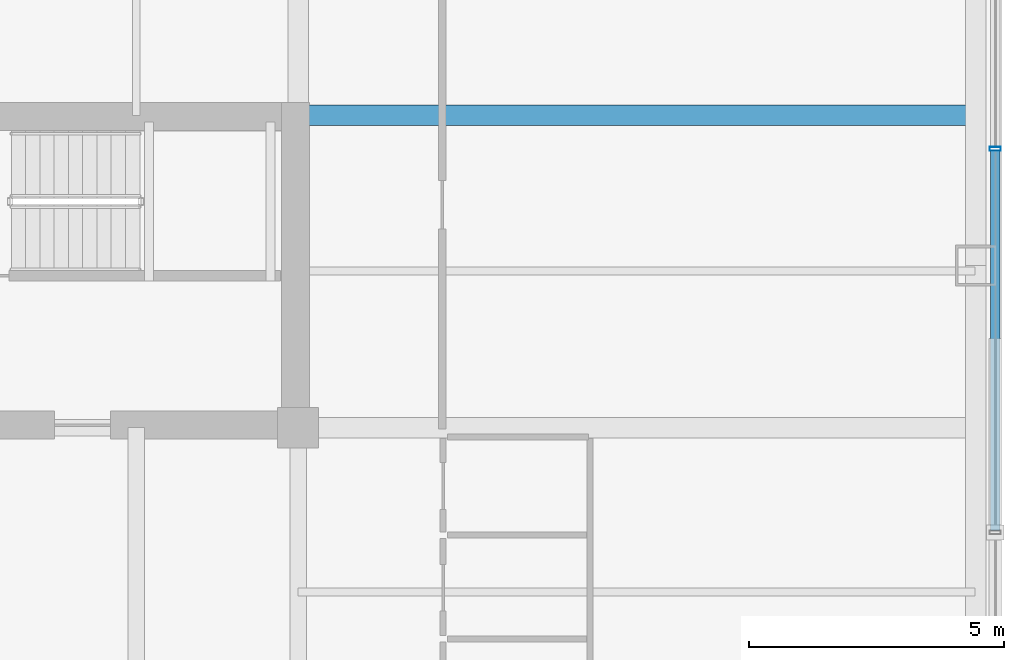
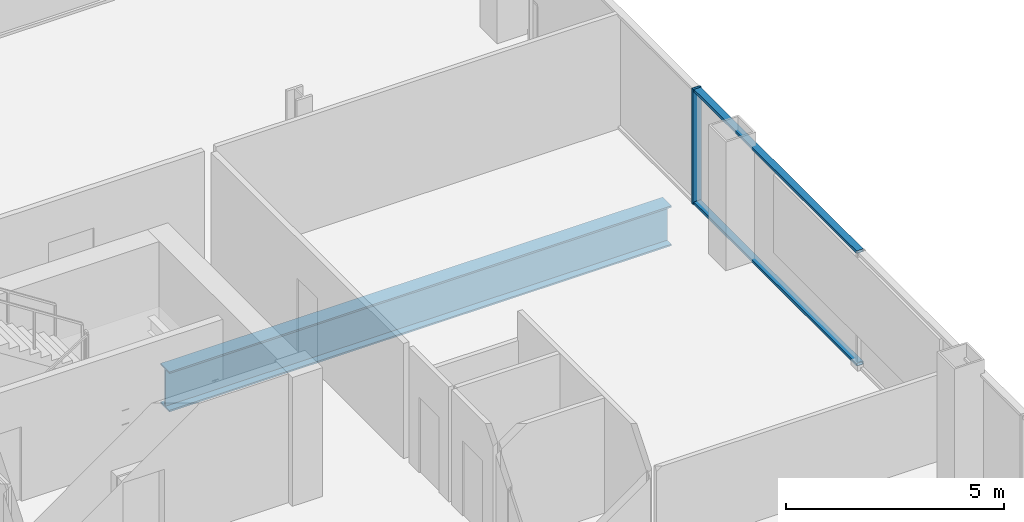
# One storey, part 12 of 24: 3 members, 1 beam, 1 element without a shape of its own.
"""IFC4 building model written with IfcOpenShell, lengths in metres."""

from ifc_helpers import new_model, si_unit, direction, frame, origin, origin_2d, place, context, subcontext, project, spatial, hollow_rectangle, i_section, extrude, material, layer, layer_set, material_profile, profile_set, type_object, element, aggregate, save


model = new_model("IFC4")

# Units and contexts
model_context = context("Model", 3, precision=1e-05, world=origin(), true_north=direction((0.0, 1.0)))
body_context = subcontext(model_context, "Body", "Model", "MODEL_VIEW")
ifc_project = project(units=[si_unit("LENGTHUNIT", "METRE"), si_unit("AREAUNIT", "SQUARE_METRE"), si_unit("VOLUMEUNIT", "CUBIC_METRE"), si_unit("PLANEANGLEUNIT", "RADIAN"), si_unit("MASSUNIT", "GRAM", prefix="KILO")], contexts=[model_context])

# Site, building, storey
site_placement = place(None, origin())
site = spatial("IfcSite", under=ifc_project, at=site_placement, CompositionType="ELEMENT")
building_placement = place(site_placement, origin())
building = spatial("IfcBuilding", under=site, at=building_placement, Name="Qhalaya Broadcast Tower", CompositionType="ELEMENT")
storey_placement = place(building_placement, frame((0.0, 0.0, 61.5)))
storey = spatial("IfcBuildingStorey", under=building, at=storey_placement, Name="L17", CompositionType="ELEMENT", Elevation=61.5)

# Beam
ifc_material_1 = material(Name="Structural Steel ASTM A992 Grade 50", Category="steel")
ifc_material_profile_1 = material_profile(ifc_material_1, i_section(OverallWidth=0.404052734375, OverallDepth=1.117919921875, WebThickness=0.026123046875, FlangeThickness=0.044921875, at=origin_2d()), Name="W44X335")
ifc_profile_set_1 = profile_set([ifc_material_profile_1], Name="Structural Steel ASTM A992 Grade 50")
beam_type = type_object("IfcBeamType", Name="Podium Long-Span Primary Girder PG1", PredefinedType="USERDEFINED", material=ifc_profile_set_1)
beam_placement = place(storey_placement, frame((9.375, 9.949951171875, -0.779052734375), z_axis=(1.0, 0.0, 0.0), x_axis=(0.0, 1.0, 0.0)))
element("IfcBeam", 1, at=beam_placement, inside=storey, type_object=beam_type, Name="L17 PG1 L17-PGYE4-1", ObjectType="GIRDER", PredefinedType="USERDEFINED", context=body_context, shape_type="SweptSolid", body=[
    extrude(i_section(OverallWidth=0.404052734375, OverallDepth=1.117919921875, WebThickness=0.026123046875, FlangeThickness=0.044921875, at=origin_2d()), origin(), (0.0, 0.0, 1.0), 13.27490234375),
])

# Curtain wall, members
ifc_material_2 = material(Name="Solar-Control Low-E Triple Glazing", Category="glass")
ifc_layer = layer(ifc_material_2, 0.219970703125, Name="Solar-Control Low-E Triple Glazing")
ifc_layer_set = layer_set([ifc_layer], Name="Solar-Control Low-E Triple Glazing")
curtain_wall_type = type_object("IfcCurtainWallType", Name="Recessed Sky-Garden Neck Ribbon Curtain Wall CW-05", PredefinedType="NOTDEFINED", material=ifc_layer_set)
curtain_wall_placement = place(storey_placement, origin())
curtain_wall = element("IfcCurtainWall", 2, at=curtain_wall_placement, inside=storey, type_object=curtain_wall_type, Name="L17 Unitised Curtain Wall L17-CW-E", PredefinedType="NOTDEFINED")
ifc_material_3 = material(Name="Anodised Aluminium 6063-T6", Category="aluminium")
ifc_material_profile_2 = material_profile(ifc_material_3, hollow_rectangle(XDim=0.074951171875, YDim=0.219970703125, WallThickness=0.00390625, at=origin_2d()), Name="ALU-MUL 75x220x4")
ifc_profile_set_2 = profile_set([ifc_material_profile_2], Name="Anodised Aluminium 6063-T6")
member_type_1 = type_object("IfcMemberType", Name="Unitised Curtain-Wall Mullion M01", PredefinedType="MULLION", material=ifc_profile_set_2)
member_1_placement = place(storey_placement, frame((23.050048828125, 9.294921875, 0.0), z_axis=(0.0, 0.0, 1.0), x_axis=(0.0, 1.0, 0.0)))
member_1 = element("IfcMember", 3, at=member_1_placement, type_object=member_type_1, Name="CW-05 mullion 4", PredefinedType="MULLION", context=body_context, shape_type="SweptSolid", body=[
    extrude(hollow_rectangle(XDim=0.074951171875, YDim=0.219970703125, WallThickness=0.00390625, at=origin_2d()), origin(), (0.0, 0.0, 1.0), 3.219970703125),
])
ifc_material_profile_3 = material_profile(ifc_material_3, hollow_rectangle(XDim=0.074951171875, YDim=0.179931640625, WallThickness=0.00390625, at=origin_2d()), Name="ALU-TRN 75x180x4")
ifc_profile_set_3 = profile_set([ifc_material_profile_3], Name="Anodised Aluminium 6063-T6")
member_type_2 = type_object("IfcMemberType", Name="Unitised Curtain-Wall Transom T01", PredefinedType="USERDEFINED", material=ifc_profile_set_3)
member_2_placement = place(storey_placement, frame((23.050048828125, 1.8076171875, 0.03759765625), z_axis=(0.0, 1.0, 0.0), x_axis=(0.0, 0.0, 1.0)))
member_2 = element("IfcMember", 4, at=member_2_placement, type_object=member_type_2, Name="CW-05 transom 3.1", ObjectType="TRANSOM", PredefinedType="USERDEFINED", context=body_context, shape_type="SweptSolid", body=[
    extrude(hollow_rectangle(XDim=0.074951171875, YDim=0.179931640625, WallThickness=0.00390625, at=origin_2d()), origin(), (0.0, 0.0, 1.0), 7.449951171875),
])
member_3_placement = place(storey_placement, frame((23.050048828125, 1.8076171875, 3.1826171875), z_axis=(0.0, 1.0, 0.0), x_axis=(0.0, 0.0, 1.0)))
member_3 = element("IfcMember", 5, at=member_3_placement, type_object=member_type_2, Name="CW-05 transom 3.2", ObjectType="TRANSOM", PredefinedType="USERDEFINED", context=body_context, shape_type="SweptSolid", body=[
    extrude(hollow_rectangle(XDim=0.074951171875, YDim=0.179931640625, WallThickness=0.00390625, at=origin_2d()), origin(), (0.0, 0.0, 1.0), 7.449951171875),
])
aggregate(curtain_wall, [member_1, member_2, member_3])

save(model, "model.ifc")
